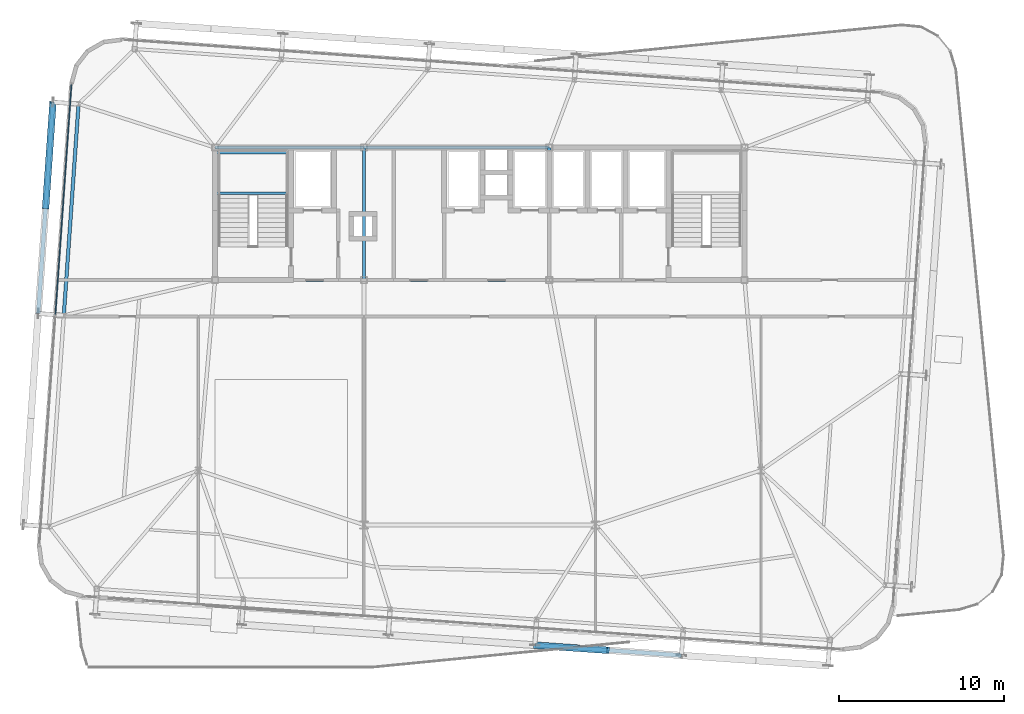
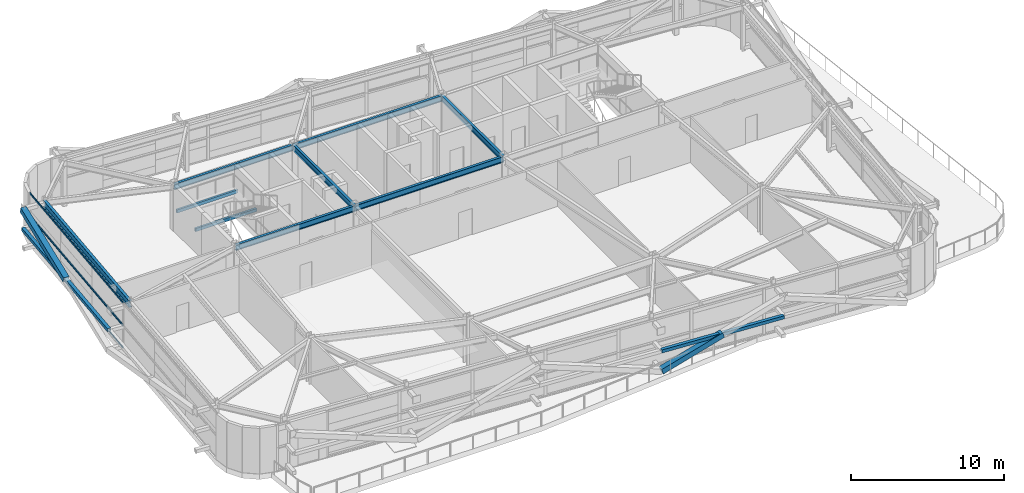
# One storey, part 12 of 36: 9 beams, 8 members, 2 elements without a shape of their own.
"""IFC4 building model written with IfcOpenShell, lengths in metres."""

from ifc_helpers import new_model, si_unit, direction, frame, origin, origin_2d, place, context, subcontext, project, spatial, hollow_rectangle, i_section, extrude, source, transform, mapped, material, layer, layer_set, material_profile, profile_set, type_object, element, aggregate, save


model = new_model("IFC4")

# Units and contexts
model_context = context("Model", 3, precision=1e-05, world=origin(), true_north=direction((0.0, 1.0)))
body_context = subcontext(model_context, "Body", "Model", "MODEL_VIEW")
ifc_project = project(units=[si_unit("LENGTHUNIT", "METRE"), si_unit("AREAUNIT", "SQUARE_METRE"), si_unit("VOLUMEUNIT", "CUBIC_METRE"), si_unit("PLANEANGLEUNIT", "RADIAN"), si_unit("MASSUNIT", "GRAM", prefix="KILO")], contexts=[model_context])

# Site, building, storey
site_placement = place(None, origin())
site = spatial("IfcSite", under=ifc_project, at=site_placement, CompositionType="ELEMENT")
building_placement = place(site_placement, origin())
building = spatial("IfcBuilding", under=site, at=building_placement, Name="Taldren Reach Tower", CompositionType="ELEMENT")
storey_placement = place(building_placement, frame((0.0, 0.0, 116.550048828125)))
storey = spatial("IfcBuildingStorey", under=building, at=storey_placement, Name="L35", CompositionType="ELEMENT", Elevation=116.550048828125)

# Beams
ifc_material_1 = material(Name="Steel Gr 350 (350PLUS)", Category="steel")
ifc_material_profile_1 = material_profile(ifc_material_1, i_section(OverallWidth=0.19091796875, OverallDepth=0.4599609375, WebThickness=0.010009765625, FlangeThickness=0.01611328125, at=origin_2d()), Name="460UB82.1")
ifc_profile_set_1 = profile_set([ifc_material_profile_1], Name="Steel Gr 350 (350PLUS)")
beam_type_1 = type_object("IfcBeamType", Name="BM-UB460A", PredefinedType="BEAM", material=ifc_profile_set_1)
shared_shape_1 = source(origin(), body_context, "Body", "SweptSolid", [
    extrude(i_section(OverallWidth=0.19091796875, OverallDepth=0.4599609375, WebThickness=0.010009765625, FlangeThickness=0.01611328125, at=origin_2d()), origin(), (0.0, 0.0, 1.0), 9.0),
])
for number, where, z_axis, x_axis, name in (
    (1, (19.0, 24.0, 3.39990234375), (1.0, 0.0, 0.0), (0.0, 1.0, 0.0), "Core-spine girder L35-SP01"),
    (2, (19.0, 32.0, 3.39990234375), (1.0, 0.0, 0.0), (0.0, 1.0, 0.0), "Core-spine girder L35-SP04"),
):
    element("IfcBeam", number, at=place(storey_placement, frame(where, z_axis=z_axis, x_axis=x_axis)), inside=storey, type_object=beam_type_1, Name=name, PredefinedType="BEAM", context=body_context, shape_type="MappedRepresentation", body=[
        mapped(shared_shape_1, transform((0.0, 0.0, 0.0), scale=1.0)),
    ])
shared_shape_2 = source(origin(), body_context, "Body", "SweptSolid", [
    extrude(i_section(OverallWidth=0.19091796875, OverallDepth=0.4599609375, WebThickness=0.010009765625, FlangeThickness=0.01611328125, at=origin_2d()), origin(), (0.0, 0.0, 1.0), 11.199951171875),
])
for number, where, z_axis, x_axis, name in (
    (3, (28.0, 24.0, 3.39990234375), (1.0, 0.0, 0.0), (0.0, 1.0, 0.0), "Core-spine girder L35-SP02"),
    (4, (28.0, 32.0, 3.39990234375), (1.0, 0.0, 0.0), (0.0, 1.0, 0.0), "Core-spine girder L35-SP05"),
):
    element("IfcBeam", number, at=place(storey_placement, frame(where, z_axis=z_axis, x_axis=x_axis)), inside=storey, type_object=beam_type_1, Name=name, PredefinedType="BEAM", context=body_context, shape_type="MappedRepresentation", body=[
        mapped(shared_shape_2, transform((0.0, 0.0, 0.0), scale=1.0)),
    ])
shared_shape_3 = source(origin(), body_context, "Body", "SweptSolid", [
    extrude(i_section(OverallWidth=0.19091796875, OverallDepth=0.4599609375, WebThickness=0.010009765625, FlangeThickness=0.01611328125, at=origin_2d()), origin(), (0.0, 0.0, 1.0), 8.0),
])
for number, where, z_axis, x_axis, name in (
    (5, (28.0, 24.0, 3.39990234375), (0.0, 1.0, 0.0), (-1.0, 0.0, 0.0), "Core-spine girder L35-SP07"),
    (6, (39.199951171875, 24.0, 3.39990234375), (0.0, 1.0, 0.0), (-1.0, 0.0, 0.0), "Core-spine girder L35-SP08"),
):
    element("IfcBeam", number, at=place(storey_placement, frame(where, z_axis=z_axis, x_axis=x_axis)), inside=storey, type_object=beam_type_1, Name=name, PredefinedType="BEAM", context=body_context, shape_type="MappedRepresentation", body=[
        mapped(shared_shape_3, transform((0.0, 0.0, 0.0), scale=1.0)),
    ])
ifc_material_profile_2 = material_profile(ifc_material_1, i_section(OverallWidth=0.208984375, OverallDepth=0.528076171875, WebThickness=0.009521484375, FlangeThickness=0.01318359375, at=origin_2d()), Name="530UB82.0")
ifc_profile_set_2 = profile_set([ifc_material_profile_2], Name="Steel Gr 350 (350PLUS)")
beam_type_2 = type_object("IfcBeamType", Name="SP-UB530B", PredefinedType="SPANDREL", material=ifc_profile_set_2)
shared_shape_4 = source(origin(), body_context, "Body", "SweptSolid", [
    extrude(i_section(OverallWidth=0.208984375, OverallDepth=0.528076171875, WebThickness=0.009521484375, FlangeThickness=0.01318359375, at=origin_2d()), origin(), (0.0, 0.0, 1.0), 12.800048828125),
])
beam_placement = place(storey_placement, frame((10.754638671875, 34.63720703125, 3.365966796875), z_axis=(-0.069751876777, -0.9975643717, 0.0), x_axis=(0.9975643717, -0.069751876777, 0.0)))
element("IfcBeam", 7, at=beam_placement, inside=storey, type_object=beam_type_2, Name="Perimeter spandrel B3 W3-W2 L35", PredefinedType="SPANDREL", context=body_context, shape_type="MappedRepresentation", body=[
    mapped(shared_shape_4, transform((0.0, 0.0, 0.0), scale=1.0)),
])

# Members
ifc_material_2 = material(Name="Steel Gr 450 (C450L0)", Category="steel")
ifc_material_profile_3 = material_profile(ifc_material_2, hollow_rectangle(XDim=0.409912109375, YDim=0.409912109375, WallThickness=0.01611328125, at=origin_2d()), Name="410x410x16.0SHS")
ifc_profile_set_3 = profile_set([ifc_material_profile_3], Name="Steel Gr 450 (C450L0)")
member_type_1 = type_object("IfcMemberType", Name="MB-EXO406", PredefinedType="BRACE", material=ifc_profile_set_3)
shared_shape_5 = source(origin(), body_context, "Body", "SweptSolid", [
    extrude(hollow_rectangle(XDim=0.409912109375, YDim=0.409912109375, WallThickness=0.01611328125, at=origin_2d()), origin(), (0.0, 0.0, 1.0), 4.707763671875),
])
member_1_placement = place(storey_placement, frame((38.33056640625, 1.933837890625, 0.219970703125), z_axis=(0.940836301296, -0.065757933527, 0.332419837466), x_axis=(0.069722973508, 0.997566392259, 0.0)))
element("IfcMember", 8, at=member_1_placement, inside=storey, type_object=member_type_1, Name="Exoskeleton Diagrid Brace B3-S4 L35", PredefinedType="BRACE", context=body_context, shape_type="MappedRepresentation", body=[
    mapped(shared_shape_5, transform((0.0, 0.0, 0.0), scale=1.0)),
])
ifc_material_3 = material(Name="Steel Gr 350 (C350L0)", Category="steel")
ifc_material_profile_4 = material_profile(ifc_material_3, hollow_rectangle(XDim=0.25, YDim=0.25, WallThickness=0.010009765625, at=origin_2d()), Name="250x250x10.0SHS")
ifc_profile_set_4 = profile_set([ifc_material_profile_4], Name="Steel Gr 350 (C350L0)")
member_type_2 = type_object("IfcMemberType", Name="MB-POST250", PredefinedType="POST", material=ifc_profile_set_4)
shared_shape_6 = source(origin(), body_context, "Body", "SweptSolid", [
    extrude(hollow_rectangle(XDim=0.25, YDim=0.25, WallThickness=0.010009765625, at=origin_2d()), origin(), (0.0, 0.0, 1.0), 8.880126953125),
])
member_2_placement = place(storey_placement, frame((38.33056640625, 1.933837890625, 1.784912109375), z_axis=(0.997564479639, -0.069750333063, 0.0), x_axis=(0.069750333063, 0.997564479639, 0.0)))
element("IfcMember", 9, at=member_2_placement, inside=storey, type_object=member_type_2, Name="Exoskeleton mid-height ring chord B3-S4 L35", PredefinedType="POST", context=body_context, shape_type="MappedRepresentation", body=[
    mapped(shared_shape_6, transform((0.0, 0.0, 0.0), scale=1.0)),
])
shared_shape_7 = source(origin(), body_context, "Body", "SweptSolid", [
    extrude(hollow_rectangle(XDim=0.409912109375, YDim=0.409912109375, WallThickness=0.01611328125, at=origin_2d()), origin(), (0.0, 0.0, 1.0), 6.588623046875),
])
member_3_placement = place(storey_placement, frame((8.761962890625, 28.36083984375, 1.784912109375), z_axis=(0.06777290834, 0.969015487146, 0.237520143498), x_axis=(-0.997563137195, 0.069769529958, 0.0)))
element("IfcMember", 10, at=member_3_placement, inside=storey, type_object=member_type_1, Name="Exoskeleton Diagrid Brace B3-W2 L35", PredefinedType="BRACE", context=body_context, shape_type="MappedRepresentation", body=[
    mapped(shared_shape_7, transform((0.0, 0.0, 0.0), scale=1.0)),
])
shared_shape_8 = source(origin(), body_context, "Body", "SweptSolid", [
    extrude(hollow_rectangle(XDim=0.25, YDim=0.25, WallThickness=0.010009765625, at=origin_2d()), origin(), (0.0, 0.0, 1.0), 12.800048828125),
])
member_4_placement = place(storey_placement, frame((8.3154296875, 21.9765625, 1.784912109375), z_axis=(0.069770857464, 0.997563044348, 0.0), x_axis=(-0.997563044348, 0.069770857464, 0.0)))
element("IfcMember", 11, at=member_4_placement, inside=storey, type_object=member_type_2, Name="Exoskeleton mid-height ring chord B3-W2 L35", PredefinedType="POST", context=body_context, shape_type="MappedRepresentation", body=[
    mapped(shared_shape_8, transform((0.0, 0.0, 0.0), scale=1.0)),
])

# Curtain wall, members
ifc_material_4 = material(Name="Aluminium and Low-E Glass Unitised System", Category="aluminium")
ifc_layer = layer(ifc_material_4, 0.159912109375)
ifc_layer_set = layer_set([ifc_layer], Name="Aluminium and Low-E Glass Unitised System")
curtain_wall_type = type_object("IfcCurtainWallType", Name="CW-SYS-7", PredefinedType="NOTDEFINED", material=ifc_layer_set)
curtain_wall_1_placement = place(storey_placement, origin())
curtain_wall_1 = element("IfcCurtainWall", 12, at=curtain_wall_1_placement, inside=storey, type_object=curtain_wall_type, Name="Unitised curtain wall CW-L35-W", PredefinedType="NOTDEFINED")
ifc_material_5 = material(Name="Anodised Aluminium 6063-T6", Category="aluminium")
ifc_material_profile_5 = material_profile(ifc_material_5, hollow_rectangle(XDim=0.06005859375, YDim=0.135009765625, WallThickness=0.00341796875, at=origin_2d()), Name="ALU-135x60x3.5RHS")
ifc_profile_set_5 = profile_set([ifc_material_profile_5], Name="Anodised Aluminium 6063-T6")
member_type_3 = type_object("IfcMemberType", Name="CW-TRN-150", PredefinedType="USERDEFINED", material=ifc_profile_set_5)
shared_shape_9 = source(origin(), body_context, "Body", "SweptSolid", [
    extrude(hollow_rectangle(XDim=0.06005859375, YDim=0.135009765625, WallThickness=0.00341796875, at=origin_2d()), origin(), (0.0, 0.0, 1.0), 13.887451171875),
])
member_5_placement = place(storey_placement, frame((10.324462890625, 35.794921875, 0.030029296875), z_axis=(-0.069757750549, -0.997563960976, 0.0), x_axis=(0.997563960976, -0.069757750549, 0.0)))
member_5 = element("IfcMember", 13, at=member_5_placement, type_object=member_type_3, Name="CW-7 transom 1.1", ObjectType="TRANSOM", PredefinedType="USERDEFINED", context=body_context, shape_type="MappedRepresentation", body=[
    mapped(shared_shape_9, transform((0.0, 0.0, 0.0), scale=1.0)),
])
member_6_placement = place(storey_placement, frame((10.324462890625, 35.794921875, 1.784912109375), z_axis=(-0.069757750549, -0.997563960976, 0.0), x_axis=(0.997563960976, -0.069757750549, 0.0)))
member_6 = element("IfcMember", 14, at=member_6_placement, type_object=member_type_3, Name="CW-7 transom 1.2", ObjectType="TRANSOM", PredefinedType="USERDEFINED", context=body_context, shape_type="MappedRepresentation", body=[
    mapped(shared_shape_9, transform((0.0, 0.0, 0.0), scale=1.0)),
])
aggregate(curtain_wall_1, [member_5, member_6])

curtain_wall_2_placement = place(storey_placement, origin())
curtain_wall_2 = element("IfcCurtainWall", 15, at=curtain_wall_2_placement, inside=storey, type_object=curtain_wall_type, Name="Unitised curtain wall CW-L35-W-T2", PredefinedType="NOTDEFINED")
member_7_placement = place(storey_placement, frame((10.324462890625, 35.794921875, 1.844970703125), z_axis=(-0.069757750549, -0.997563960976, 0.0), x_axis=(0.997563960976, -0.069757750549, 0.0)))
member_7 = element("IfcMember", 16, at=member_7_placement, type_object=member_type_3, Name="CW-7 transom 1.1", ObjectType="TRANSOM", PredefinedType="USERDEFINED", context=body_context, shape_type="MappedRepresentation", body=[
    mapped(shared_shape_9, transform((0.0, 0.0, 0.0), scale=1.0)),
])
member_8_placement = place(storey_placement, frame((10.324462890625, 35.794921875, 3.599853515625), z_axis=(-0.069757750549, -0.997563960976, 0.0), x_axis=(0.997563960976, -0.069757750549, 0.0)))
member_8 = element("IfcMember", 17, at=member_8_placement, type_object=member_type_3, Name="CW-7 transom 1.2", ObjectType="TRANSOM", PredefinedType="USERDEFINED", context=body_context, shape_type="MappedRepresentation", body=[
    mapped(shared_shape_9, transform((0.0, 0.0, 0.0), scale=1.0)),
])
aggregate(curtain_wall_2, [member_7, member_8])

# Beams
ifc_material_profile_6 = material_profile(ifc_material_3, hollow_rectangle(XDim=0.14990234375, YDim=0.25, WallThickness=0.009033203125, at=origin_2d()), Name="250x150x9.0RHS")
ifc_profile_set_6 = profile_set([ifc_material_profile_6], Name="Steel Gr 350 (C350L0)")
beam_type_3 = type_object("IfcBeamType", Name="LN-RHS250", PredefinedType="LINTEL", material=ifc_profile_set_6)
shared_shape_10 = source(origin(), body_context, "Body", "SweptSolid", [
    extrude(hollow_rectangle(XDim=0.14990234375, YDim=0.25, WallThickness=0.009033203125, at=origin_2d()), origin(), (0.0, 0.0, 1.0), 4.60009765625),
])
for number, where, z_axis, x_axis, name in (
    (18, (19.0, 29.2548828125, 1.619873046875), (1.0, 0.0, 0.0), (0.0, 1.0, 0.0), "Stair half-landing support beam ST1-L35-1"),
    (19, (19.0, 31.699951171875, 1.619873046875), (1.0, 0.0, 0.0), (0.0, 1.0, 0.0), "Stair half-landing support beam ST1-L35-2"),
):
    element("IfcBeam", number, at=place(storey_placement, frame(where, z_axis=z_axis, x_axis=x_axis)), inside=storey, type_object=beam_type_3, Name=name, PredefinedType="LINTEL", context=body_context, shape_type="MappedRepresentation", body=[
        mapped(shared_shape_10, transform((0.0, 0.0, 0.0), scale=1.0)),
    ])

save(model, "model.ifc")
